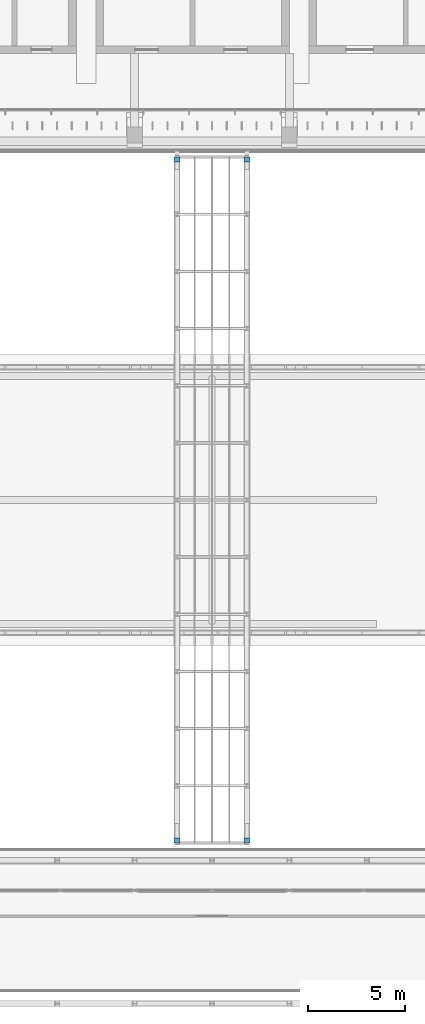
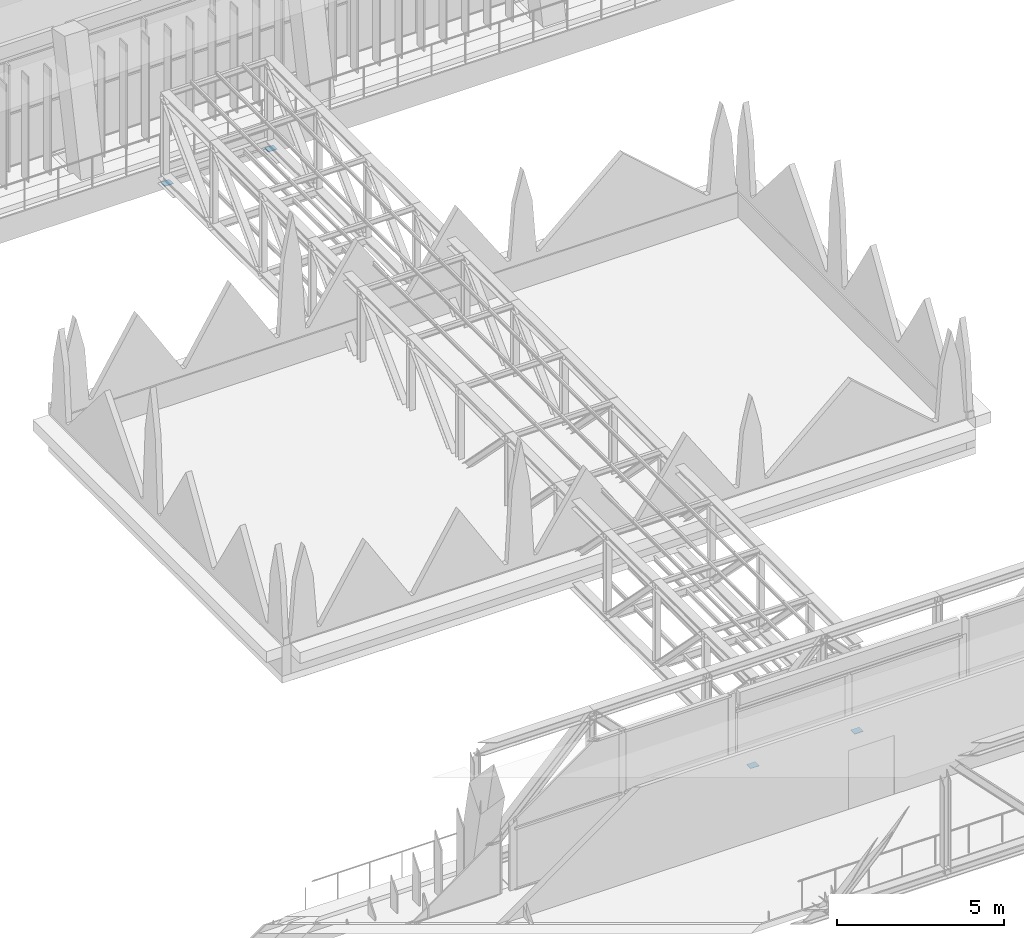
# One storey, part 119 of 141: 4 discrete accessories.
"""IFC4 building model written with IfcOpenShell, lengths in metres."""

from ifc_helpers import new_model, si_unit, direction, frame, origin, origin_2d, place, context, subcontext, project, spatial, rectangle, extrude, element, save


model = new_model("IFC4")

# Units and contexts
model_context = context("Model", 3, precision=1e-05, world=origin(), true_north=direction((0.0, 1.0)))
body_context = subcontext(model_context, "Body", "Model", "MODEL_VIEW")
ifc_project = project(units=[si_unit("LENGTHUNIT", "METRE"), si_unit("AREAUNIT", "SQUARE_METRE"), si_unit("VOLUMEUNIT", "CUBIC_METRE"), si_unit("PLANEANGLEUNIT", "RADIAN"), si_unit("MASSUNIT", "GRAM", prefix="KILO")], contexts=[model_context])

# Site, building, storey
site_placement = place(None, origin())
site = spatial("IfcSite", under=ifc_project, at=site_placement, CompositionType="ELEMENT")
building_placement = place(site_placement, origin())
building = spatial("IfcBuilding", under=site, at=building_placement, Name="Lantern Court Media Centre", CompositionType="ELEMENT")
storey_placement = place(building_placement, frame((0.0, 0.0, 9.60009765625)))
storey = spatial("IfcBuildingStorey", under=building, at=storey_placement, Name="L02", CompositionType="ELEMENT", Elevation=9.60009765625)

# Discrete accessories
for number, where, z_axis, x_axis, name in (
    (1, (50.199951171875, 62.425048828125, -0.41015625), (0.0, 0.0, 1.0), (1.0, 0.0, 0.0), "Court bridge sliding bearing south 1"),
    (2, (53.800048828125, 62.425048828125, -0.41015625), (0.0, 0.0, 1.0), (1.0, 0.0, 0.0), "Court bridge sliding bearing south 2"),
    (3, (50.199951171875, 97.574951171875, -0.41015625), (0.0, 0.0, 1.0), (1.0, 0.0, 0.0), "Court bridge sliding bearing north 1"),
    (4, (53.800048828125, 97.574951171875, -0.41015625), (0.0, 0.0, 1.0), (1.0, 0.0, 0.0), "Court bridge sliding bearing north 2"),
):
    element("IfcDiscreteAccessory", number, at=place(storey_placement, frame(where, z_axis=z_axis, x_axis=x_axis)), inside=storey, Name=name, PredefinedType="SHOE", context=body_context, shape_type="SweptSolid", body=[
        extrude(rectangle(XDim=0.300048828125, YDim=0.25, at=origin_2d()), origin(), (0.0, 0.0, 1.0), 0.014892578125),
    ])

save(model, "model.ifc")
